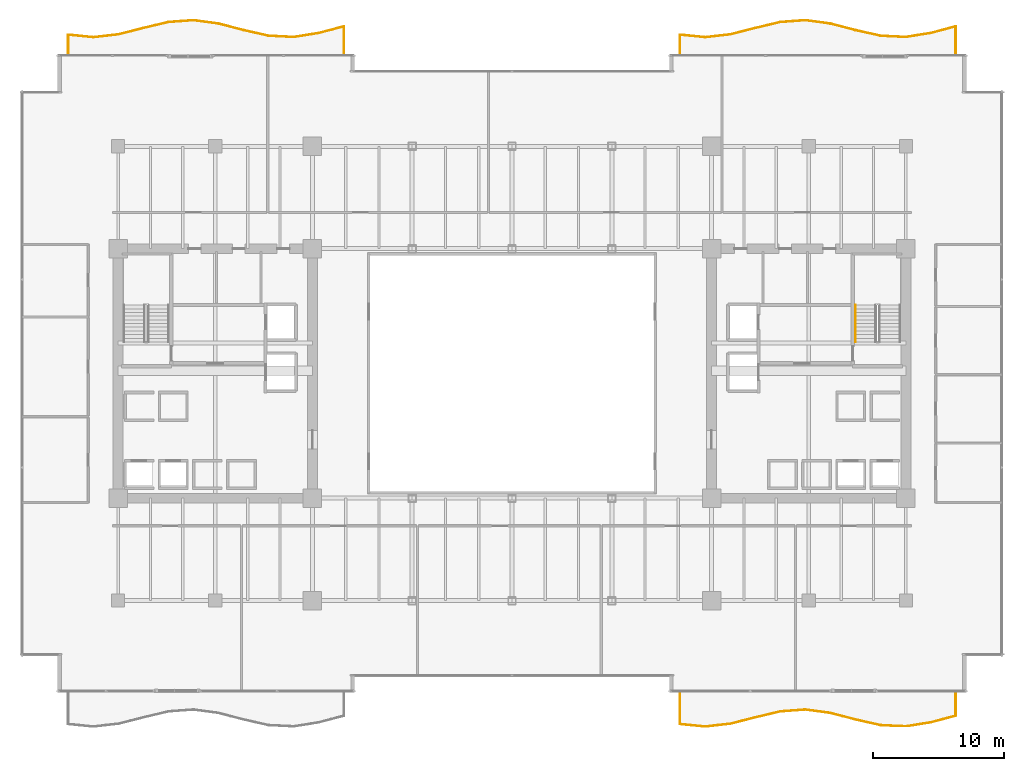
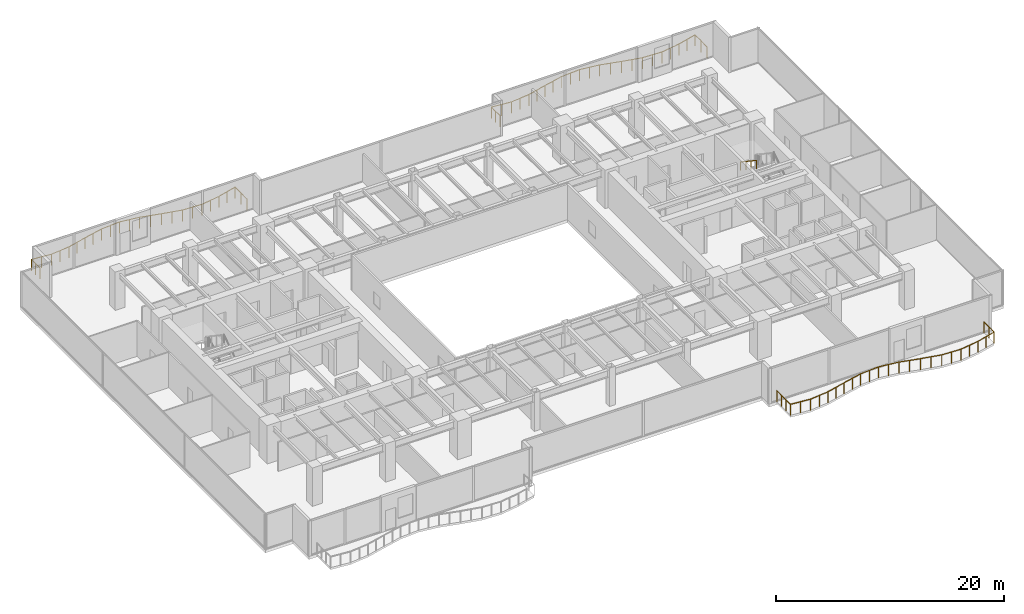
# One storey, part 30 of 31: 4 railings.
"""IFC4 building model written with IfcOpenShell, lengths in metres."""

from ifc_helpers import new_model, si_unit, direction, frame, origin, origin_2d, place, context, subcontext, project, spatial, circle, extrude, source, transform, mapped, material, type_object, type_shapes, element, save


model = new_model("IFC4")

# Units and contexts
model_context = context("Model", 3, precision=1e-05, world=origin(), true_north=direction((0.0, 1.0)))
body_context = subcontext(model_context, "Body", "Model", "MODEL_VIEW")
ifc_project = project(units=[si_unit("LENGTHUNIT", "METRE"), si_unit("AREAUNIT", "SQUARE_METRE"), si_unit("VOLUMEUNIT", "CUBIC_METRE"), si_unit("PLANEANGLEUNIT", "RADIAN"), si_unit("MASSUNIT", "GRAM", prefix="KILO")], contexts=[model_context])

# Site, building, storey
site_placement = place(None, origin())
site = spatial("IfcSite", under=ifc_project, at=site_placement, CompositionType="ELEMENT")
building_placement = place(site_placement, origin())
building = spatial("IfcBuilding", under=site, at=building_placement, Name="Haelvirn Gate Laboratories", CompositionType="ELEMENT")
storey_placement = place(building_placement, frame((0.0, 0.0, 62.10009765625)))
storey = spatial("IfcBuildingStorey", under=building, at=storey_placement, Name="L15", CompositionType="ELEMENT", Elevation=62.10009765625)

# Railings
ifc_material_1 = material(Name="Laminated safety glass & bronze stainless steel 316L", Category="steel")
railing_type_1 = type_object("IfcRailingType", Name="RLG-BAL-1200", PredefinedType="BALUSTRADE", material=ifc_material_1)
shared_shape_1 = source(origin(), body_context, "Body", "SweptSolid", [
    extrude(circle(Radius=0.02392578125, at=origin_2d()), frame((0.0, 0.0, 1.17578125), z_axis=(0.0, 1.0, 0.0), x_axis=(-1.0, 0.0, 0.0)), (0.0, 0.0, 1.0), 1.490234375),
    extrude(circle(Radius=0.02392578125, at=origin_2d()), frame((0.0, 1.490234375, 1.17578125), z_axis=(0.995073664133, -0.099138302131, 0.0), x_axis=(0.099138302131, 0.995073664133, 0.0)), (0.0, 0.0, 1.0), 1.91845703125),
    extrude(circle(Radius=0.02392578125, at=origin_2d()), frame((1.908935546875, 1.300048828125, 1.17578125), z_axis=(0.993784147545, 0.111324157705, 0.0), x_axis=(-0.111324157705, 0.993784147545, 0.0)), (0.0, 0.0, 1.0), 1.921142578125),
    extrude(circle(Radius=0.02392578125, at=origin_2d()), frame((3.818115234375, 1.513916015625, 1.17578125), z_axis=(0.969231707961, 0.246150149874, 0.0), x_axis=(-0.246150149874, 0.969231707961, 0.0)), (0.0, 0.0, 1.0), 1.9697265625),
    extrude(circle(Radius=0.02392578125, at=origin_2d()), frame((5.727294921875, 1.998779296875, 1.17578125), z_axis=(0.972796869458, 0.231659773747, 0.0), x_axis=(-0.231659773747, 0.972796869458, 0.0)), (0.0, 0.0, 1.0), 1.96240234375),
    extrude(circle(Radius=0.02392578125, at=origin_2d()), frame((7.63623046875, 2.453369140625, 1.17578125), z_axis=(0.99727018965, 0.073838803044, 0.0), x_axis=(-0.073838803044, 0.99727018965, 0.0)), (0.0, 0.0, 1.0), 1.914306640625),
    extrude(circle(Radius=0.02392578125, at=origin_2d()), frame((9.54541015625, 2.5947265625, 1.17578125), z_axis=(0.99090174786, -0.134587243411, 0.0), x_axis=(0.134587243411, 0.99090174786, 0.0)), (0.0, 0.0, 1.0), 1.926513671875),
    extrude(circle(Radius=0.02392578125, at=origin_2d()), frame((11.454345703125, 2.33544921875, 1.17578125), z_axis=(0.967496287377, -0.252885218849, 0.0), x_axis=(0.252885218849, 0.967496287377, 0.0)), (0.0, 0.0, 1.0), 1.973388671875),
    extrude(circle(Radius=0.02392578125, at=origin_2d()), frame((13.363525390625, 1.83642578125, 1.17578125), z_axis=(0.975729855584, -0.218977736132, 0.0), x_axis=(0.218977736132, 0.975729855584, 0.0)), (0.0, 0.0, 1.0), 1.956787109375),
    extrude(circle(Radius=0.02392578125, at=origin_2d()), frame((15.272705078125, 1.407958984375, 1.17578125), z_axis=(0.998851894788, -0.047905033962, 0.0), x_axis=(0.047905033962, 0.998851894788, 0.0)), (0.0, 0.0, 1.0), 1.9111328125),
    extrude(circle(Radius=0.02392578125, at=origin_2d()), frame((17.181640625, 1.31640625, 1.17578125), z_axis=(0.987679876081, 0.156487898525, 0.0), x_axis=(-0.156487898525, 0.987679876081, 0.0)), (0.0, 0.0, 1.0), 1.93310546875),
    extrude(circle(Radius=0.02392578125, at=origin_2d()), frame((19.0908203125, 1.618896484375, 1.17578125), z_axis=(0.966368129293, 0.257162669701, 0.0), x_axis=(-0.257162669701, 0.966368129293, 0.0)), (0.0, 0.0, 1.0), 1.9755859375),
    extrude(circle(Radius=0.02392578125, at=origin_2d()), frame((21.0, 2.126953125, 1.17578125), z_axis=(0.0, -1.0, 0.0), x_axis=(1.0, 0.0, 0.0)), (0.0, 0.0, 1.0), 2.126953125),
    extrude(circle(Radius=0.02099609375, at=origin_2d()), origin(), (0.0, 0.0, 1.0), 1.15185546875),
    extrude(circle(Radius=0.02099609375, at=origin_2d()), frame((0.0, 0.7451171875, 0.0)), (0.0, 0.0, 1.0), 1.15185546875),
    extrude(circle(Radius=0.02099609375, at=origin_2d()), frame((0.0, 1.490234375, 0.0)), (0.0, 0.0, 1.0), 1.15185546875),
    extrude(circle(Radius=0.02099609375, at=origin_2d()), frame((0.95458984375, 1.39501953125, 0.0)), (0.0, 0.0, 1.0), 1.15185546875),
    extrude(circle(Radius=0.02099609375, at=origin_2d()), frame((1.908935546875, 1.300048828125, 0.0)), (0.0, 0.0, 1.0), 1.15185546875),
    extrude(circle(Radius=0.02099609375, at=origin_2d()), frame((2.863525390625, 1.406982421875, 0.0)), (0.0, 0.0, 1.0), 1.15185546875),
    extrude(circle(Radius=0.02099609375, at=origin_2d()), frame((3.818115234375, 1.513916015625, 0.0)), (0.0, 0.0, 1.0), 1.15185546875),
    extrude(circle(Radius=0.02099609375, at=origin_2d()), frame((4.772705078125, 1.75634765625, 0.0)), (0.0, 0.0, 1.0), 1.15185546875),
    extrude(circle(Radius=0.02099609375, at=origin_2d()), frame((5.727294921875, 1.998779296875, 0.0)), (0.0, 0.0, 1.0), 1.15185546875),
    extrude(circle(Radius=0.02099609375, at=origin_2d()), frame((6.681640625, 2.22607421875, 0.0)), (0.0, 0.0, 1.0), 1.15185546875),
    extrude(circle(Radius=0.02099609375, at=origin_2d()), frame((7.63623046875, 2.453369140625, 0.0)), (0.0, 0.0, 1.0), 1.15185546875),
    extrude(circle(Radius=0.02099609375, at=origin_2d()), frame((8.5908203125, 2.52392578125, 0.0)), (0.0, 0.0, 1.0), 1.15185546875),
    extrude(circle(Radius=0.02099609375, at=origin_2d()), frame((9.54541015625, 2.5947265625, 0.0)), (0.0, 0.0, 1.0), 1.15185546875),
    extrude(circle(Radius=0.02099609375, at=origin_2d()), frame((10.5, 2.465087890625, 0.0)), (0.0, 0.0, 1.0), 1.15185546875),
    extrude(circle(Radius=0.02099609375, at=origin_2d()), frame((11.454345703125, 2.33544921875, 0.0)), (0.0, 0.0, 1.0), 1.15185546875),
    extrude(circle(Radius=0.02099609375, at=origin_2d()), frame((12.408935546875, 2.0859375, 0.0)), (0.0, 0.0, 1.0), 1.15185546875),
    extrude(circle(Radius=0.02099609375, at=origin_2d()), frame((13.363525390625, 1.83642578125, 0.0)), (0.0, 0.0, 1.0), 1.15185546875),
    extrude(circle(Radius=0.02099609375, at=origin_2d()), frame((14.318115234375, 1.6220703125, 0.0)), (0.0, 0.0, 1.0), 1.15185546875),
    extrude(circle(Radius=0.02099609375, at=origin_2d()), frame((15.272705078125, 1.407958984375, 0.0)), (0.0, 0.0, 1.0), 1.15185546875),
    extrude(circle(Radius=0.02099609375, at=origin_2d()), frame((16.22705078125, 1.3623046875, 0.0)), (0.0, 0.0, 1.0), 1.15185546875),
    extrude(circle(Radius=0.02099609375, at=origin_2d()), frame((17.181640625, 1.31640625, 0.0)), (0.0, 0.0, 1.0), 1.15185546875),
    extrude(circle(Radius=0.02099609375, at=origin_2d()), frame((18.13623046875, 1.4677734375, 0.0)), (0.0, 0.0, 1.0), 1.15185546875),
    extrude(circle(Radius=0.02099609375, at=origin_2d()), frame((19.0908203125, 1.618896484375, 0.0)), (0.0, 0.0, 1.0), 1.15185546875),
    extrude(circle(Radius=0.02099609375, at=origin_2d()), frame((20.04541015625, 1.873046875, 0.0)), (0.0, 0.0, 1.0), 1.15185546875),
    extrude(circle(Radius=0.02099609375, at=origin_2d()), frame((21.0, 2.126953125, 0.0)), (0.0, 0.0, 1.0), 1.15185546875),
    extrude(circle(Radius=0.02099609375, at=origin_2d()), frame((21.0, 1.0634765625, 0.0)), (0.0, 0.0, 1.0), 1.15185546875),
    extrude(circle(Radius=0.02099609375, at=origin_2d()), frame((21.0, 0.0, 0.0)), (0.0, 0.0, 1.0), 1.15185546875),
])
railing_1_placement = place(storey_placement, frame((3.60009765625, 48.60009765625, 0.0)))
element("IfcRailing", 1, at=railing_1_placement, inside=storey, type_object=railing_type_1, Name="L15 Wave Balcony Balustrade WL-N", PredefinedType="BALUSTRADE", context=body_context, shape_type="MappedRepresentation", body=[
    mapped(shared_shape_1, transform((0.0, 0.0, 0.0), scale=1.0)),
])
shared_shape_2 = source(origin(), body_context, "Body", "SweptSolid", [
    extrude(circle(Radius=0.02392578125, at=origin_2d()), frame((0.0, 0.0, 1.17578125), z_axis=(0.0, -1.0, 0.0), x_axis=(1.0, 0.0, 0.0)), (0.0, 0.0, 1.0), 2.40966796875),
    extrude(circle(Radius=0.02392578125, at=origin_2d()), frame((0.0, -2.40966796875, 1.17578125), z_axis=(0.995074914693, -0.099125749175, 0.0), x_axis=(0.099125749175, 0.995074914693, 0.0)), (0.0, 0.0, 1.0), 1.918701171875),
    extrude(circle(Radius=0.02392578125, at=origin_2d()), frame((1.9091796875, -2.599853515625, 1.17578125), z_axis=(0.993784147545, 0.111324157705, 0.0), x_axis=(-0.111324157705, 0.993784147545, 0.0)), (0.0, 0.0, 1.0), 1.921142578125),
    extrude(circle(Radius=0.02392578125, at=origin_2d()), frame((3.818359375, -2.385986328125, 1.17578125), z_axis=(0.969224196934, 0.246179723125, 0.0), x_axis=(-0.246179723125, 0.969224196934, 0.0)), (0.0, 0.0, 1.0), 1.969482421875),
    extrude(circle(Radius=0.02392578125, at=origin_2d()), frame((5.727294921875, -1.901123046875, 1.17578125), z_axis=(0.972803545105, 0.231631739256, 0.0), x_axis=(-0.231631739256, 0.972803545105, 0.0)), (0.0, 0.0, 1.0), 1.962646484375),
    extrude(circle(Radius=0.02392578125, at=origin_2d()), frame((7.636474609375, -1.446533203125, 1.17578125), z_axis=(0.99727018965, 0.073838803044, 0.0), x_axis=(-0.073838803044, 0.99727018965, 0.0)), (0.0, 0.0, 1.0), 1.914306640625),
    extrude(circle(Radius=0.02392578125, at=origin_2d()), frame((9.545654296875, -1.30517578125, 1.17578125), z_axis=(0.99090174786, -0.134587243411, 0.0), x_axis=(0.134587243411, 0.99090174786, 0.0)), (0.0, 0.0, 1.0), 1.926513671875),
    extrude(circle(Radius=0.02392578125, at=origin_2d()), frame((11.45458984375, -1.564453125, 1.17578125), z_axis=(0.967496287377, -0.252885218849, 0.0), x_axis=(0.252885218849, 0.967496287377, 0.0)), (0.0, 0.0, 1.0), 1.973388671875),
    extrude(circle(Radius=0.02392578125, at=origin_2d()), frame((13.36376953125, -2.0634765625, 1.17578125), z_axis=(0.97572387144, -0.21900439882, 0.0), x_axis=(0.21900439882, 0.97572387144, 0.0)), (0.0, 0.0, 1.0), 1.95654296875),
    extrude(circle(Radius=0.02392578125, at=origin_2d()), frame((15.272705078125, -2.491943359375, 1.17578125), z_axis=(0.998852187897, -0.047898922054, 0.0), x_axis=(0.047898922054, 0.998852187897, 0.0)), (0.0, 0.0, 1.0), 1.911376953125),
    extrude(circle(Radius=0.02392578125, at=origin_2d()), frame((17.181884765625, -2.58349609375, 1.17578125), z_axis=(0.987679876081, 0.156487898525, 0.0), x_axis=(-0.156487898525, 0.987679876081, 0.0)), (0.0, 0.0, 1.0), 1.93310546875),
    extrude(circle(Radius=0.02392578125, at=origin_2d()), frame((19.091064453125, -2.281005859375, 1.17578125), z_axis=(0.966359955389, 0.257193383702, 0.0), x_axis=(-0.257193383702, 0.966359955389, 0.0)), (0.0, 0.0, 1.0), 1.975341796875),
    extrude(circle(Radius=0.02392578125, at=origin_2d()), frame((21.0, -1.77294921875, 1.17578125), z_axis=(0.0, 1.0, 0.0), x_axis=(-1.0, 0.0, 0.0)), (0.0, 0.0, 1.0), 1.77294921875),
    extrude(circle(Radius=0.02099609375, at=origin_2d()), origin(), (0.0, 0.0, 1.0), 1.15185546875),
    extrude(circle(Radius=0.02099609375, at=origin_2d()), frame((0.0, -0.80322265625, 0.0)), (0.0, 0.0, 1.0), 1.15185546875),
    extrude(circle(Radius=0.02099609375, at=origin_2d()), frame((0.0, -1.6064453125, 0.0)), (0.0, 0.0, 1.0), 1.15185546875),
    extrude(circle(Radius=0.02099609375, at=origin_2d()), frame((0.0, -2.40966796875, 0.0)), (0.0, 0.0, 1.0), 1.15185546875),
    extrude(circle(Radius=0.02099609375, at=origin_2d()), frame((0.95458984375, -2.5048828125, 0.0)), (0.0, 0.0, 1.0), 1.15185546875),
    extrude(circle(Radius=0.02099609375, at=origin_2d()), frame((1.9091796875, -2.599853515625, 0.0)), (0.0, 0.0, 1.0), 1.15185546875),
    extrude(circle(Radius=0.02099609375, at=origin_2d()), frame((2.86376953125, -2.492919921875, 0.0)), (0.0, 0.0, 1.0), 1.15185546875),
    extrude(circle(Radius=0.02099609375, at=origin_2d()), frame((3.818359375, -2.385986328125, 0.0)), (0.0, 0.0, 1.0), 1.15185546875),
    extrude(circle(Radius=0.02099609375, at=origin_2d()), frame((4.77294921875, -2.1435546875, 0.0)), (0.0, 0.0, 1.0), 1.15185546875),
    extrude(circle(Radius=0.02099609375, at=origin_2d()), frame((5.727294921875, -1.901123046875, 0.0)), (0.0, 0.0, 1.0), 1.15185546875),
    extrude(circle(Radius=0.02099609375, at=origin_2d()), frame((6.681884765625, -1.673828125, 0.0)), (0.0, 0.0, 1.0), 1.15185546875),
    extrude(circle(Radius=0.02099609375, at=origin_2d()), frame((7.636474609375, -1.446533203125, 0.0)), (0.0, 0.0, 1.0), 1.15185546875),
    extrude(circle(Radius=0.02099609375, at=origin_2d()), frame((8.591064453125, -1.3759765625, 0.0)), (0.0, 0.0, 1.0), 1.15185546875),
    extrude(circle(Radius=0.02099609375, at=origin_2d()), frame((9.545654296875, -1.30517578125, 0.0)), (0.0, 0.0, 1.0), 1.15185546875),
    extrude(circle(Radius=0.02099609375, at=origin_2d()), frame((10.5, -1.434814453125, 0.0)), (0.0, 0.0, 1.0), 1.15185546875),
    extrude(circle(Radius=0.02099609375, at=origin_2d()), frame((11.45458984375, -1.564453125, 0.0)), (0.0, 0.0, 1.0), 1.15185546875),
    extrude(circle(Radius=0.02099609375, at=origin_2d()), frame((12.4091796875, -1.81396484375, 0.0)), (0.0, 0.0, 1.0), 1.15185546875),
    extrude(circle(Radius=0.02099609375, at=origin_2d()), frame((13.36376953125, -2.0634765625, 0.0)), (0.0, 0.0, 1.0), 1.15185546875),
    extrude(circle(Radius=0.02099609375, at=origin_2d()), frame((14.318359375, -2.27783203125, 0.0)), (0.0, 0.0, 1.0), 1.15185546875),
    extrude(circle(Radius=0.02099609375, at=origin_2d()), frame((15.272705078125, -2.491943359375, 0.0)), (0.0, 0.0, 1.0), 1.15185546875),
    extrude(circle(Radius=0.02099609375, at=origin_2d()), frame((16.227294921875, -2.53759765625, 0.0)), (0.0, 0.0, 1.0), 1.15185546875),
    extrude(circle(Radius=0.02099609375, at=origin_2d()), frame((17.181884765625, -2.58349609375, 0.0)), (0.0, 0.0, 1.0), 1.15185546875),
    extrude(circle(Radius=0.02099609375, at=origin_2d()), frame((18.136474609375, -2.43212890625, 0.0)), (0.0, 0.0, 1.0), 1.15185546875),
    extrude(circle(Radius=0.02099609375, at=origin_2d()), frame((19.091064453125, -2.281005859375, 0.0)), (0.0, 0.0, 1.0), 1.15185546875),
    extrude(circle(Radius=0.02099609375, at=origin_2d()), frame((20.04541015625, -2.02685546875, 0.0)), (0.0, 0.0, 1.0), 1.15185546875),
    extrude(circle(Radius=0.02099609375, at=origin_2d()), frame((21.0, -1.77294921875, 0.0)), (0.0, 0.0, 1.0), 1.15185546875),
    extrude(circle(Radius=0.02099609375, at=origin_2d()), frame((21.0, -0.886474609375, 0.0)), (0.0, 0.0, 1.0), 1.15185546875),
    extrude(circle(Radius=0.02099609375, at=origin_2d()), frame((21.0, 0.0, 0.0)), (0.0, 0.0, 1.0), 1.15185546875),
])
railing_2_placement = place(storey_placement, frame((50.199951171875, 0.0, 0.0)))
element("IfcRailing", 2, at=railing_2_placement, inside=storey, type_object=railing_type_1, Name="L15 Wave Balcony Balustrade EL-S", PredefinedType="BALUSTRADE", context=body_context, shape_type="MappedRepresentation", body=[
    mapped(shared_shape_2, transform((0.0, 0.0, 0.0), scale=1.0)),
])
shared_shape_3 = source(origin(), body_context, "Body", "SweptSolid", [
    extrude(circle(Radius=0.02392578125, at=origin_2d()), frame((0.0, 0.0, 1.17578125), z_axis=(0.0, 1.0, 0.0), x_axis=(-1.0, 0.0, 0.0)), (0.0, 0.0, 1.0), 1.490234375),
    extrude(circle(Radius=0.02392578125, at=origin_2d()), frame((0.0, 1.490234375, 1.17578125), z_axis=(0.995074914693, -0.099125749175, 0.0), x_axis=(0.099125749175, 0.995074914693, 0.0)), (0.0, 0.0, 1.0), 1.918701171875),
    extrude(circle(Radius=0.02392578125, at=origin_2d()), frame((1.9091796875, 1.300048828125, 1.17578125), z_axis=(0.993784147545, 0.111324157705, 0.0), x_axis=(-0.111324157705, 0.993784147545, 0.0)), (0.0, 0.0, 1.0), 1.921142578125),
    extrude(circle(Radius=0.02392578125, at=origin_2d()), frame((3.818359375, 1.513916015625, 1.17578125), z_axis=(0.969224196934, 0.246179723125, 0.0), x_axis=(-0.246179723125, 0.969224196934, 0.0)), (0.0, 0.0, 1.0), 1.969482421875),
    extrude(circle(Radius=0.02392578125, at=origin_2d()), frame((5.727294921875, 1.998779296875, 1.17578125), z_axis=(0.972803545105, 0.231631739256, 0.0), x_axis=(-0.231631739256, 0.972803545105, 0.0)), (0.0, 0.0, 1.0), 1.962646484375),
    extrude(circle(Radius=0.02392578125, at=origin_2d()), frame((7.636474609375, 2.453369140625, 1.17578125), z_axis=(0.99727018965, 0.073838803044, 0.0), x_axis=(-0.073838803044, 0.99727018965, 0.0)), (0.0, 0.0, 1.0), 1.914306640625),
    extrude(circle(Radius=0.02392578125, at=origin_2d()), frame((9.545654296875, 2.5947265625, 1.17578125), z_axis=(0.99090174786, -0.134587243411, 0.0), x_axis=(0.134587243411, 0.99090174786, 0.0)), (0.0, 0.0, 1.0), 1.926513671875),
    extrude(circle(Radius=0.02392578125, at=origin_2d()), frame((11.45458984375, 2.33544921875, 1.17578125), z_axis=(0.967496287377, -0.252885218849, 0.0), x_axis=(0.252885218849, 0.967496287377, 0.0)), (0.0, 0.0, 1.0), 1.973388671875),
    extrude(circle(Radius=0.02392578125, at=origin_2d()), frame((13.36376953125, 1.83642578125, 1.17578125), z_axis=(0.97572387144, -0.21900439882, 0.0), x_axis=(0.21900439882, 0.97572387144, 0.0)), (0.0, 0.0, 1.0), 1.95654296875),
    extrude(circle(Radius=0.02392578125, at=origin_2d()), frame((15.272705078125, 1.407958984375, 1.17578125), z_axis=(0.998852187897, -0.047898922054, 0.0), x_axis=(0.047898922054, 0.998852187897, 0.0)), (0.0, 0.0, 1.0), 1.911376953125),
    extrude(circle(Radius=0.02392578125, at=origin_2d()), frame((17.181884765625, 1.31640625, 1.17578125), z_axis=(0.987679876081, 0.156487898525, 0.0), x_axis=(-0.156487898525, 0.987679876081, 0.0)), (0.0, 0.0, 1.0), 1.93310546875),
    extrude(circle(Radius=0.02392578125, at=origin_2d()), frame((19.091064453125, 1.618896484375, 1.17578125), z_axis=(0.966359955389, 0.257193383702, 0.0), x_axis=(-0.257193383702, 0.966359955389, 0.0)), (0.0, 0.0, 1.0), 1.975341796875),
    extrude(circle(Radius=0.02392578125, at=origin_2d()), frame((21.0, 2.126953125, 1.17578125), z_axis=(0.0, -1.0, 0.0), x_axis=(1.0, 0.0, 0.0)), (0.0, 0.0, 1.0), 2.126953125),
    extrude(circle(Radius=0.02099609375, at=origin_2d()), origin(), (0.0, 0.0, 1.0), 1.15185546875),
    extrude(circle(Radius=0.02099609375, at=origin_2d()), frame((0.0, 0.7451171875, 0.0)), (0.0, 0.0, 1.0), 1.15185546875),
    extrude(circle(Radius=0.02099609375, at=origin_2d()), frame((0.0, 1.490234375, 0.0)), (0.0, 0.0, 1.0), 1.15185546875),
    extrude(circle(Radius=0.02099609375, at=origin_2d()), frame((0.95458984375, 1.39501953125, 0.0)), (0.0, 0.0, 1.0), 1.15185546875),
    extrude(circle(Radius=0.02099609375, at=origin_2d()), frame((1.9091796875, 1.300048828125, 0.0)), (0.0, 0.0, 1.0), 1.15185546875),
    extrude(circle(Radius=0.02099609375, at=origin_2d()), frame((2.86376953125, 1.406982421875, 0.0)), (0.0, 0.0, 1.0), 1.15185546875),
    extrude(circle(Radius=0.02099609375, at=origin_2d()), frame((3.818359375, 1.513916015625, 0.0)), (0.0, 0.0, 1.0), 1.15185546875),
    extrude(circle(Radius=0.02099609375, at=origin_2d()), frame((4.77294921875, 1.75634765625, 0.0)), (0.0, 0.0, 1.0), 1.15185546875),
    extrude(circle(Radius=0.02099609375, at=origin_2d()), frame((5.727294921875, 1.998779296875, 0.0)), (0.0, 0.0, 1.0), 1.15185546875),
    extrude(circle(Radius=0.02099609375, at=origin_2d()), frame((6.681884765625, 2.22607421875, 0.0)), (0.0, 0.0, 1.0), 1.15185546875),
    extrude(circle(Radius=0.02099609375, at=origin_2d()), frame((7.636474609375, 2.453369140625, 0.0)), (0.0, 0.0, 1.0), 1.15185546875),
    extrude(circle(Radius=0.02099609375, at=origin_2d()), frame((8.591064453125, 2.52392578125, 0.0)), (0.0, 0.0, 1.0), 1.15185546875),
    extrude(circle(Radius=0.02099609375, at=origin_2d()), frame((9.545654296875, 2.5947265625, 0.0)), (0.0, 0.0, 1.0), 1.15185546875),
    extrude(circle(Radius=0.02099609375, at=origin_2d()), frame((10.5, 2.465087890625, 0.0)), (0.0, 0.0, 1.0), 1.15185546875),
    extrude(circle(Radius=0.02099609375, at=origin_2d()), frame((11.45458984375, 2.33544921875, 0.0)), (0.0, 0.0, 1.0), 1.15185546875),
    extrude(circle(Radius=0.02099609375, at=origin_2d()), frame((12.4091796875, 2.0859375, 0.0)), (0.0, 0.0, 1.0), 1.15185546875),
    extrude(circle(Radius=0.02099609375, at=origin_2d()), frame((13.36376953125, 1.83642578125, 0.0)), (0.0, 0.0, 1.0), 1.15185546875),
    extrude(circle(Radius=0.02099609375, at=origin_2d()), frame((14.318359375, 1.6220703125, 0.0)), (0.0, 0.0, 1.0), 1.15185546875),
    extrude(circle(Radius=0.02099609375, at=origin_2d()), frame((15.272705078125, 1.407958984375, 0.0)), (0.0, 0.0, 1.0), 1.15185546875),
    extrude(circle(Radius=0.02099609375, at=origin_2d()), frame((16.227294921875, 1.3623046875, 0.0)), (0.0, 0.0, 1.0), 1.15185546875),
    extrude(circle(Radius=0.02099609375, at=origin_2d()), frame((17.181884765625, 1.31640625, 0.0)), (0.0, 0.0, 1.0), 1.15185546875),
    extrude(circle(Radius=0.02099609375, at=origin_2d()), frame((18.136474609375, 1.4677734375, 0.0)), (0.0, 0.0, 1.0), 1.15185546875),
    extrude(circle(Radius=0.02099609375, at=origin_2d()), frame((19.091064453125, 1.618896484375, 0.0)), (0.0, 0.0, 1.0), 1.15185546875),
    extrude(circle(Radius=0.02099609375, at=origin_2d()), frame((20.04541015625, 1.873046875, 0.0)), (0.0, 0.0, 1.0), 1.15185546875),
    extrude(circle(Radius=0.02099609375, at=origin_2d()), frame((21.0, 2.126953125, 0.0)), (0.0, 0.0, 1.0), 1.15185546875),
    extrude(circle(Radius=0.02099609375, at=origin_2d()), frame((21.0, 1.0634765625, 0.0)), (0.0, 0.0, 1.0), 1.15185546875),
    extrude(circle(Radius=0.02099609375, at=origin_2d()), frame((21.0, 0.0, 0.0)), (0.0, 0.0, 1.0), 1.15185546875),
])
type_shapes(railing_type_1, [shared_shape_1, shared_shape_2, shared_shape_3])
railing_3_placement = place(storey_placement, frame((50.199951171875, 48.60009765625, 0.0)))
element("IfcRailing", 3, at=railing_3_placement, inside=storey, type_object=railing_type_1, Name="L15 Wave Balcony Balustrade EL-N", PredefinedType="BALUSTRADE", context=body_context, shape_type="MappedRepresentation", body=[
    mapped(shared_shape_3, transform((0.0, 0.0, 0.0), scale=1.0)),
])
ifc_material_2 = material(Name="Brushed stainless steel 316L", Category="steel")
railing_type_2 = type_object("IfcRailingType", Name="RL-HAND-920", PredefinedType="HANDRAIL", material=ifc_material_2)
shared_shape_4 = source(origin(), body_context, "Body", "SweptSolid", [
    extrude(circle(Radius=0.02392578125, at=origin_2d()), frame((0.0, 0.0, 0.8759765625), z_axis=(0.0, -0.832485552168, 0.554046753832), x_axis=(1.0, 0.0, 0.0)), (0.0, 0.0, 1.0), 3.363525390625),
    extrude(circle(Radius=0.02099609375, at=origin_2d()), origin(), (0.0, 0.0, 1.0), 0.851806640625),
    extrude(circle(Radius=0.02099609375, at=origin_2d()), frame((0.0, -0.933349609375, 0.62109375)), (0.0, 0.0, 1.0), 0.851806640625),
    extrude(circle(Radius=0.02099609375, at=origin_2d()), frame((0.0, -1.86669921875, 1.242431640625)), (0.0, 0.0, 1.0), 0.851806640625),
    extrude(circle(Radius=0.02099609375, at=origin_2d()), frame((0.0, -2.800048828125, 1.863525390625)), (0.0, 0.0, 1.0), 0.851806640625),
])
type_shapes(railing_type_2, [shared_shape_4])
railing_4_placement = place(storey_placement, frame((63.550048828125, 29.5, 2.236328125)))
element("IfcRailing", 4, at=railing_4_placement, inside=storey, type_object=railing_type_2, Name="L15 ST2 stair handrail 2", PredefinedType="HANDRAIL", context=body_context, shape_type="MappedRepresentation", body=[
    mapped(shared_shape_4, transform((0.0, 0.0, 0.0), scale=1.0)),
])

save(model, "model.ifc")
